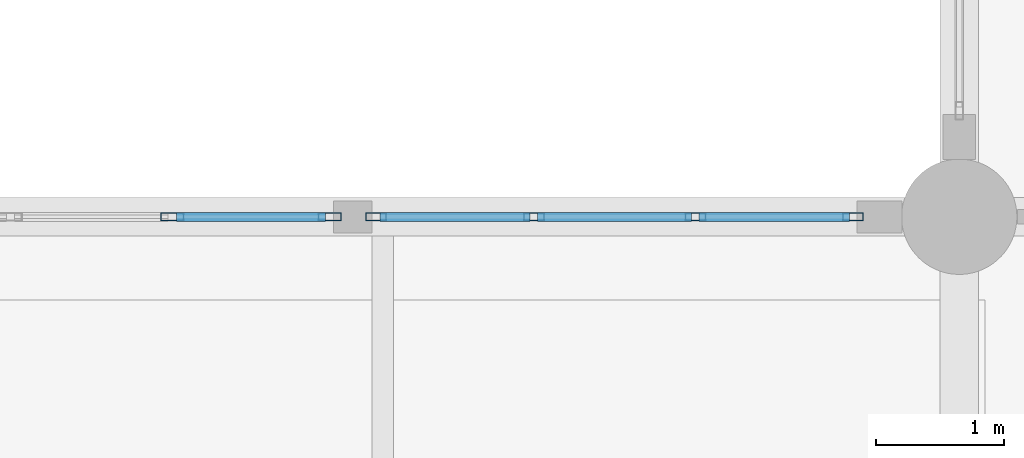
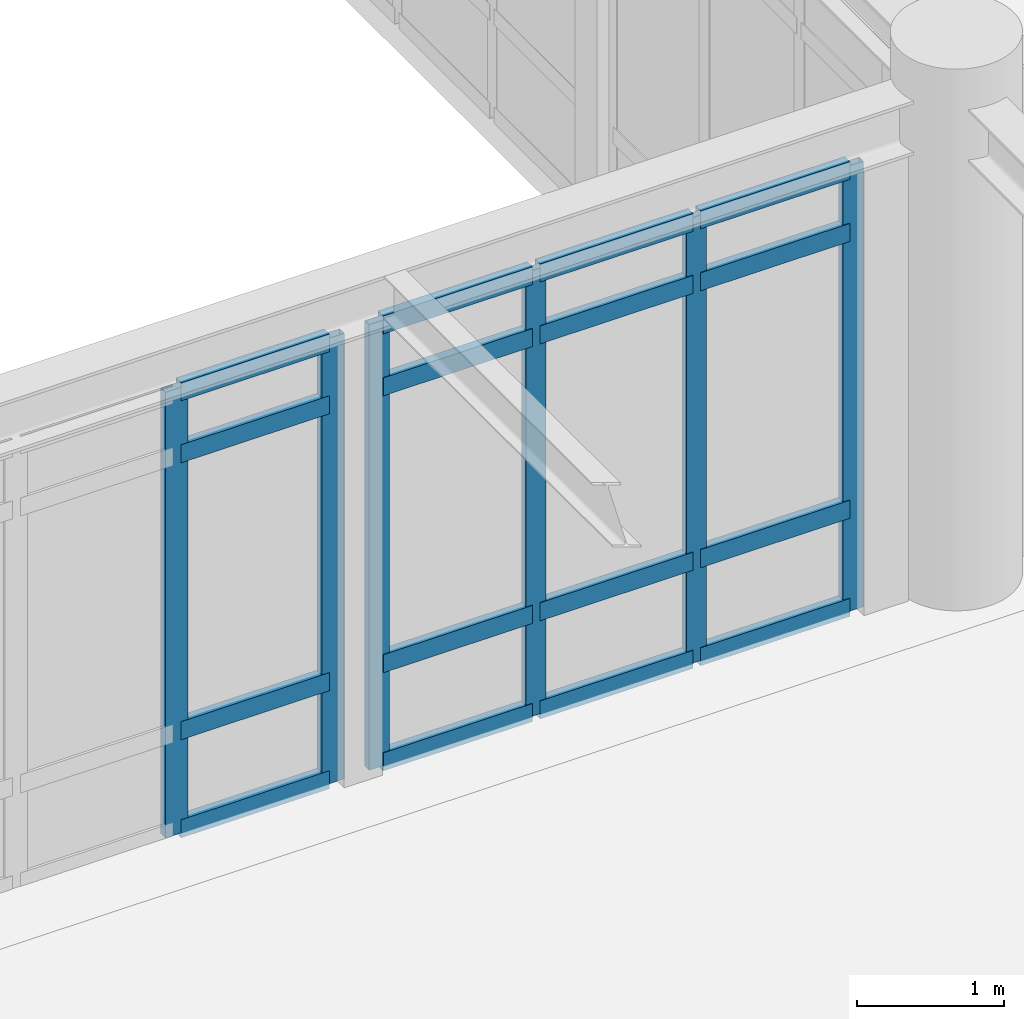
# One storey, part 11 of 61: 22 members, 2 elements without a shape of their own.
"""IFC4 building model written with IfcOpenShell, lengths in metres."""

from ifc_helpers import new_model, si_unit, direction, frame, origin, origin_2d, place, context, subcontext, project, spatial, hollow_rectangle, extrude, material, layer, layer_set, material_profile, profile_set, type_object, element, aggregate, save


model = new_model("IFC4")

# Units and contexts
model_context = context("Model", 3, precision=1e-05, world=origin(), true_north=direction((0.0, 1.0)))
body_context = subcontext(model_context, "Body", "Model", "MODEL_VIEW")
ifc_project = project(units=[si_unit("LENGTHUNIT", "METRE"), si_unit("AREAUNIT", "SQUARE_METRE"), si_unit("VOLUMEUNIT", "CUBIC_METRE"), si_unit("PLANEANGLEUNIT", "RADIAN"), si_unit("MASSUNIT", "GRAM", prefix="KILO")], contexts=[model_context])

# Site, building, storey
site_placement = place(None, origin())
site = spatial("IfcSite", under=ifc_project, at=site_placement, CompositionType="ELEMENT")
building_placement = place(site_placement, origin())
building = spatial("IfcBuilding", under=site, at=building_placement, Name="Fikremerkos Civic Library", CompositionType="ELEMENT")
storey_placement = place(building_placement, frame((0.0, 0.0, 14.39990234375)))
storey = spatial("IfcBuildingStorey", under=building, at=storey_placement, Name="L03", CompositionType="ELEMENT", Elevation=14.39990234375)

# Curtain wall, members
ifc_material = material(Name="Anodized aluminium Frame", Category="aluminium")
ifc_layer_1 = layer(ifc_material, 0.159912109375, Name="Anodized aluminium Frame")
ifc_layer_set_1 = layer_set([ifc_layer_1], Name="Anodized aluminium Frame")
curtain_wall_type_1 = type_object("IfcCurtainWallType", Name="Unitised curtain wall CW-09 3600x3400", PredefinedType="USERDEFINED", material=ifc_layer_set_1)
curtain_wall_1_placement = place(storey_placement, origin())
curtain_wall_1 = element("IfcCurtainWall", 1, at=curtain_wall_1_placement, inside=storey, type_object=curtain_wall_type_1, Name="Unitised curtain wall CW-09 L03 #189", ObjectType="UNITISED CURTAIN WALL", PredefinedType="USERDEFINED")
ifc_material_profile_1 = material_profile(ifc_material, hollow_rectangle(XDim=0.06494140625, YDim=0.179931640625, WallThickness=0.00439453125, at=origin_2d()), Name="ALU 180x65x4.5")
ifc_profile_set_1 = profile_set([ifc_material_profile_1], Name="Anodized aluminium Frame")
member_type_1 = type_object("IfcMemberType", Name="Curtain mullion CWM-01 ALU 180x65x4.5", PredefinedType="MULLION", material=ifc_profile_set_1)
member_1_placement = place(storey_placement, frame((40.0556640625, 31.199951171875, 0.0), z_axis=(0.0, 0.0, 1.0), x_axis=(0.0, 1.0, 0.0)))
member_1 = element("IfcMember", 2, at=member_1_placement, type_object=member_type_1, Name="CW-09 mullion 3", PredefinedType="MULLION", context=body_context, shape_type="SweptSolid", body=[
    extrude(hollow_rectangle(XDim=0.06494140625, YDim=0.179931640625, WallThickness=0.00439453125, at=origin_2d()), origin(), (0.0, 0.0, 1.0), 3.7001953125),
])
member_2_placement = place(storey_placement, frame((41.284912109375, 31.199951171875, 0.0), z_axis=(0.0, 0.0, 1.0), x_axis=(0.0, 1.0, 0.0)))
member_2 = element("IfcMember", 3, at=member_2_placement, type_object=member_type_1, Name="CW-09 mullion 4", PredefinedType="MULLION", context=body_context, shape_type="SweptSolid", body=[
    extrude(hollow_rectangle(XDim=0.06494140625, YDim=0.179931640625, WallThickness=0.00439453125, at=origin_2d()), origin(), (0.0, 0.0, 1.0), 3.7001953125),
])

ifc_layer_2 = layer(ifc_material, 0.159912109375, Name="Anodized aluminium Frame")
ifc_layer_set_2 = layer_set([ifc_layer_2], Name="Anodized aluminium Frame")
curtain_wall_type_2 = type_object("IfcCurtainWallType", Name="Unitised curtain wall CW-10 4000x3400", PredefinedType="USERDEFINED", material=ifc_layer_set_2)
curtain_wall_2_placement = place(storey_placement, origin())
curtain_wall_2 = element("IfcCurtainWall", 4, at=curtain_wall_2_placement, inside=storey, type_object=curtain_wall_type_2, Name="Unitised curtain wall CW-10 L03 #190", ObjectType="UNITISED CURTAIN WALL", PredefinedType="USERDEFINED")
ifc_material_profile_2 = material_profile(ifc_material, hollow_rectangle(XDim=0.06005859375, YDim=0.159912109375, WallThickness=0.00390625, at=origin_2d()), Name="ALU 160x60x4")
ifc_profile_set_2 = profile_set([ifc_material_profile_2], Name="Anodized aluminium Frame")
member_type_2 = type_object("IfcMemberType", Name="Curtain mullion CWM-02 ALU 160x60x4", PredefinedType="MULLION", material=ifc_profile_set_2)
member_3_placement = place(storey_placement, frame((41.647216796875, 31.199951171875, 0.0), z_axis=(0.0, 0.0, 1.0), x_axis=(0.0, 1.0, 0.0)))
member_3 = element("IfcMember", 5, at=member_3_placement, type_object=member_type_2, Name="CW-10 mullion 1", PredefinedType="MULLION", context=body_context, shape_type="SweptSolid", body=[
    extrude(hollow_rectangle(XDim=0.06005859375, YDim=0.159912109375, WallThickness=0.00390625, at=origin_2d()), origin(), (0.0, 0.0, 1.0), 3.7001953125),
])
member_4_placement = place(storey_placement, frame((42.87890625, 31.199951171875, 0.0), z_axis=(0.0, 0.0, 1.0), x_axis=(0.0, 1.0, 0.0)))
member_4 = element("IfcMember", 6, at=member_4_placement, type_object=member_type_2, Name="CW-10 mullion 2", PredefinedType="MULLION", context=body_context, shape_type="SweptSolid", body=[
    extrude(hollow_rectangle(XDim=0.06005859375, YDim=0.159912109375, WallThickness=0.00390625, at=origin_2d()), origin(), (0.0, 0.0, 1.0), 3.7001953125),
])
member_5_placement = place(storey_placement, frame((44.140380859375, 31.199951171875, 0.0), z_axis=(0.0, 0.0, 1.0), x_axis=(0.0, 1.0, 0.0)))
member_5 = element("IfcMember", 7, at=member_5_placement, type_object=member_type_2, Name="CW-10 mullion 3", PredefinedType="MULLION", context=body_context, shape_type="SweptSolid", body=[
    extrude(hollow_rectangle(XDim=0.06005859375, YDim=0.159912109375, WallThickness=0.00390625, at=origin_2d()), origin(), (0.0, 0.0, 1.0), 3.7001953125),
])
member_6_placement = place(storey_placement, frame((45.3720703125, 31.199951171875, 0.0), z_axis=(0.0, 0.0, 1.0), x_axis=(0.0, 1.0, 0.0)))
member_6 = element("IfcMember", 8, at=member_6_placement, type_object=member_type_2, Name="CW-10 mullion 4", PredefinedType="MULLION", context=body_context, shape_type="SweptSolid", body=[
    extrude(hollow_rectangle(XDim=0.06005859375, YDim=0.159912109375, WallThickness=0.00390625, at=origin_2d()), origin(), (0.0, 0.0, 1.0), 3.7001953125),
])

# Member
ifc_material_profile_3 = material_profile(ifc_material, hollow_rectangle(XDim=0.070068359375, YDim=0.14990234375, WallThickness=0.00439453125, at=origin_2d()), Name="ALU 150x70x4.5")
ifc_profile_set_3 = profile_set([ifc_material_profile_3], Name="Anodized aluminium Frame")
member_type_3 = type_object("IfcMemberType", Name="Curtain transom CWT-01 ALU 150x70x4.5", PredefinedType="USERDEFINED", material=ifc_profile_set_3)
member_7_placement = place(storey_placement, frame((40.08837890625, 31.199951171875, 0.03515625), z_axis=(1.0, 0.0, 0.0), x_axis=(0.0, 1.0, 0.0)))
member_7 = element("IfcMember", 9, at=member_7_placement, type_object=member_type_3, Name="CW-09 transom 3.1", ObjectType="TRANSOM", PredefinedType="USERDEFINED", context=body_context, shape_type="SweptSolid", body=[
    extrude(hollow_rectangle(XDim=0.070068359375, YDim=0.14990234375, WallThickness=0.00439453125, at=origin_2d()), origin(), (0.0, 0.0, 1.0), 1.1640625),
])

member_8_placement = place(storey_placement, frame((40.08837890625, 31.199951171875, 0.85009765625), z_axis=(1.0, 0.0, 0.0), x_axis=(0.0, 1.0, 0.0)))
member_8 = element("IfcMember", 10, at=member_8_placement, type_object=member_type_3, Name="CW-09 transom 3.2", ObjectType="TRANSOM", PredefinedType="USERDEFINED", context=body_context, shape_type="SweptSolid", body=[
    extrude(hollow_rectangle(XDim=0.070068359375, YDim=0.14990234375, WallThickness=0.00439453125, at=origin_2d()), origin(), (0.0, 0.0, 1.0), 1.1640625),
])

member_9_placement = place(storey_placement, frame((40.08837890625, 31.199951171875, 3.150146484375), z_axis=(1.0, 0.0, 0.0), x_axis=(0.0, 1.0, 0.0)))
member_9 = element("IfcMember", 11, at=member_9_placement, type_object=member_type_3, Name="CW-09 transom 3.3", ObjectType="TRANSOM", PredefinedType="USERDEFINED", context=body_context, shape_type="SweptSolid", body=[
    extrude(hollow_rectangle(XDim=0.070068359375, YDim=0.14990234375, WallThickness=0.00439453125, at=origin_2d()), origin(), (0.0, 0.0, 1.0), 1.1640625),
])

member_10_placement = place(storey_placement, frame((40.08837890625, 31.199951171875, 3.6650390625), z_axis=(1.0, 0.0, 0.0), x_axis=(0.0, 1.0, 0.0)))
member_10 = element("IfcMember", 12, at=member_10_placement, type_object=member_type_3, Name="CW-09 transom 3.4", ObjectType="TRANSOM", PredefinedType="USERDEFINED", context=body_context, shape_type="SweptSolid", body=[
    extrude(hollow_rectangle(XDim=0.070068359375, YDim=0.14990234375, WallThickness=0.00439453125, at=origin_2d()), origin(), (0.0, 0.0, 1.0), 1.1640625),
])

aggregate(curtain_wall_1, [member_1, member_2, member_7, member_8, member_9, member_10])

member_11_placement = place(storey_placement, frame((41.67724609375, 31.199951171875, 0.03515625), z_axis=(1.0, 0.0, 0.0), x_axis=(0.0, 1.0, 0.0)))
member_11 = element("IfcMember", 13, at=member_11_placement, type_object=member_type_3, Name="CW-10 transom 1.1", ObjectType="TRANSOM", PredefinedType="USERDEFINED", context=body_context, shape_type="SweptSolid", body=[
    extrude(hollow_rectangle(XDim=0.070068359375, YDim=0.14990234375, WallThickness=0.00439453125, at=origin_2d()), origin(), (0.0, 0.0, 1.0), 1.171630859375),
])

member_12_placement = place(storey_placement, frame((41.67724609375, 31.199951171875, 0.85009765625), z_axis=(1.0, 0.0, 0.0), x_axis=(0.0, 1.0, 0.0)))
member_12 = element("IfcMember", 14, at=member_12_placement, type_object=member_type_3, Name="CW-10 transom 1.2", ObjectType="TRANSOM", PredefinedType="USERDEFINED", context=body_context, shape_type="SweptSolid", body=[
    extrude(hollow_rectangle(XDim=0.070068359375, YDim=0.14990234375, WallThickness=0.00439453125, at=origin_2d()), origin(), (0.0, 0.0, 1.0), 1.171630859375),
])

member_13_placement = place(storey_placement, frame((41.67724609375, 31.199951171875, 3.150146484375), z_axis=(1.0, 0.0, 0.0), x_axis=(0.0, 1.0, 0.0)))
member_13 = element("IfcMember", 15, at=member_13_placement, type_object=member_type_3, Name="CW-10 transom 1.3", ObjectType="TRANSOM", PredefinedType="USERDEFINED", context=body_context, shape_type="SweptSolid", body=[
    extrude(hollow_rectangle(XDim=0.070068359375, YDim=0.14990234375, WallThickness=0.00439453125, at=origin_2d()), origin(), (0.0, 0.0, 1.0), 1.171630859375),
])

member_14_placement = place(storey_placement, frame((41.67724609375, 31.199951171875, 3.6650390625), z_axis=(1.0, 0.0, 0.0), x_axis=(0.0, 1.0, 0.0)))
member_14 = element("IfcMember", 16, at=member_14_placement, type_object=member_type_3, Name="CW-10 transom 1.4", ObjectType="TRANSOM", PredefinedType="USERDEFINED", context=body_context, shape_type="SweptSolid", body=[
    extrude(hollow_rectangle(XDim=0.070068359375, YDim=0.14990234375, WallThickness=0.00439453125, at=origin_2d()), origin(), (0.0, 0.0, 1.0), 1.171630859375),
])

member_15_placement = place(storey_placement, frame((42.908935546875, 31.199951171875, 0.03515625), z_axis=(1.0, 0.0, 0.0), x_axis=(0.0, 1.0, 0.0)))
member_15 = element("IfcMember", 17, at=member_15_placement, type_object=member_type_3, Name="CW-10 transom 2.1", ObjectType="TRANSOM", PredefinedType="USERDEFINED", context=body_context, shape_type="SweptSolid", body=[
    extrude(hollow_rectangle(XDim=0.070068359375, YDim=0.14990234375, WallThickness=0.00439453125, at=origin_2d()), origin(), (0.0, 0.0, 1.0), 1.201416015625),
])

member_16_placement = place(storey_placement, frame((42.908935546875, 31.199951171875, 0.85009765625), z_axis=(1.0, 0.0, 0.0), x_axis=(0.0, 1.0, 0.0)))
member_16 = element("IfcMember", 18, at=member_16_placement, type_object=member_type_3, Name="CW-10 transom 2.2", ObjectType="TRANSOM", PredefinedType="USERDEFINED", context=body_context, shape_type="SweptSolid", body=[
    extrude(hollow_rectangle(XDim=0.070068359375, YDim=0.14990234375, WallThickness=0.00439453125, at=origin_2d()), origin(), (0.0, 0.0, 1.0), 1.201416015625),
])

member_17_placement = place(storey_placement, frame((42.908935546875, 31.199951171875, 3.150146484375), z_axis=(1.0, 0.0, 0.0), x_axis=(0.0, 1.0, 0.0)))
member_17 = element("IfcMember", 19, at=member_17_placement, type_object=member_type_3, Name="CW-10 transom 2.3", ObjectType="TRANSOM", PredefinedType="USERDEFINED", context=body_context, shape_type="SweptSolid", body=[
    extrude(hollow_rectangle(XDim=0.070068359375, YDim=0.14990234375, WallThickness=0.00439453125, at=origin_2d()), origin(), (0.0, 0.0, 1.0), 1.201416015625),
])

member_18_placement = place(storey_placement, frame((42.908935546875, 31.199951171875, 3.6650390625), z_axis=(1.0, 0.0, 0.0), x_axis=(0.0, 1.0, 0.0)))
member_18 = element("IfcMember", 20, at=member_18_placement, type_object=member_type_3, Name="CW-10 transom 2.4", ObjectType="TRANSOM", PredefinedType="USERDEFINED", context=body_context, shape_type="SweptSolid", body=[
    extrude(hollow_rectangle(XDim=0.070068359375, YDim=0.14990234375, WallThickness=0.00439453125, at=origin_2d()), origin(), (0.0, 0.0, 1.0), 1.201416015625),
])

member_19_placement = place(storey_placement, frame((44.17041015625, 31.199951171875, 0.03515625), z_axis=(1.0, 0.0, 0.0), x_axis=(0.0, 1.0, 0.0)))
member_19 = element("IfcMember", 21, at=member_19_placement, type_object=member_type_3, Name="CW-10 transom 3.1", ObjectType="TRANSOM", PredefinedType="USERDEFINED", context=body_context, shape_type="SweptSolid", body=[
    extrude(hollow_rectangle(XDim=0.070068359375, YDim=0.14990234375, WallThickness=0.00439453125, at=origin_2d()), origin(), (0.0, 0.0, 1.0), 1.171630859375),
])

member_20_placement = place(storey_placement, frame((44.17041015625, 31.199951171875, 0.85009765625), z_axis=(1.0, 0.0, 0.0), x_axis=(0.0, 1.0, 0.0)))
member_20 = element("IfcMember", 22, at=member_20_placement, type_object=member_type_3, Name="CW-10 transom 3.2", ObjectType="TRANSOM", PredefinedType="USERDEFINED", context=body_context, shape_type="SweptSolid", body=[
    extrude(hollow_rectangle(XDim=0.070068359375, YDim=0.14990234375, WallThickness=0.00439453125, at=origin_2d()), origin(), (0.0, 0.0, 1.0), 1.171630859375),
])

member_21_placement = place(storey_placement, frame((44.17041015625, 31.199951171875, 3.150146484375), z_axis=(1.0, 0.0, 0.0), x_axis=(0.0, 1.0, 0.0)))
member_21 = element("IfcMember", 23, at=member_21_placement, type_object=member_type_3, Name="CW-10 transom 3.3", ObjectType="TRANSOM", PredefinedType="USERDEFINED", context=body_context, shape_type="SweptSolid", body=[
    extrude(hollow_rectangle(XDim=0.070068359375, YDim=0.14990234375, WallThickness=0.00439453125, at=origin_2d()), origin(), (0.0, 0.0, 1.0), 1.171630859375),
])

member_22_placement = place(storey_placement, frame((44.17041015625, 31.199951171875, 3.6650390625), z_axis=(1.0, 0.0, 0.0), x_axis=(0.0, 1.0, 0.0)))
member_22 = element("IfcMember", 24, at=member_22_placement, type_object=member_type_3, Name="CW-10 transom 3.4", ObjectType="TRANSOM", PredefinedType="USERDEFINED", context=body_context, shape_type="SweptSolid", body=[
    extrude(hollow_rectangle(XDim=0.070068359375, YDim=0.14990234375, WallThickness=0.00439453125, at=origin_2d()), origin(), (0.0, 0.0, 1.0), 1.171630859375),
])

aggregate(curtain_wall_2, [member_3, member_4, member_5, member_6, member_11, member_12, member_13, member_14, member_15, member_16, member_17, member_18, member_19, member_20, member_21, member_22])

save(model, "model.ifc")
